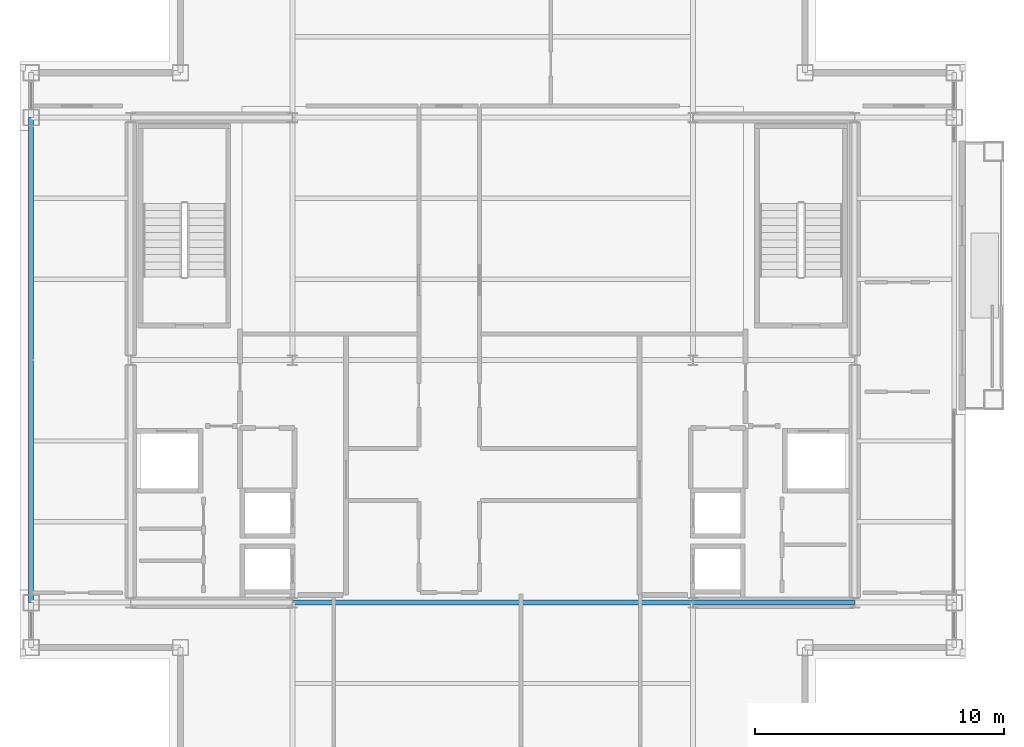
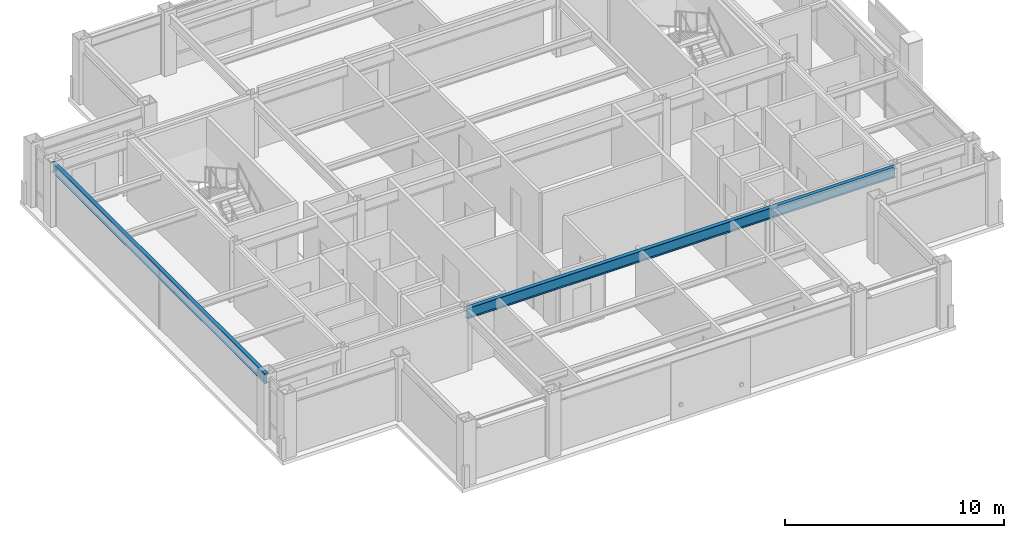
# One storey, part 6 of 24: 3 beams.
"""IFC4 building model written with IfcOpenShell, lengths in metres."""

from ifc_helpers import new_model, si_unit, direction, frame, origin, origin_2d, place, context, subcontext, project, spatial, i_section, extrude, material, material_profile, profile_set, type_object, element, save


model = new_model("IFC4")

# Units and contexts
model_context = context("Model", 3, precision=1e-05, world=origin(), true_north=direction((0.0, 1.0)))
body_context = subcontext(model_context, "Body", "Model", "MODEL_VIEW")
ifc_project = project(units=[si_unit("LENGTHUNIT", "METRE"), si_unit("AREAUNIT", "SQUARE_METRE"), si_unit("VOLUMEUNIT", "CUBIC_METRE"), si_unit("PLANEANGLEUNIT", "RADIAN"), si_unit("MASSUNIT", "GRAM", prefix="KILO")], contexts=[model_context])

# Site, building, storey
site_placement = place(None, origin())
site = spatial("IfcSite", under=ifc_project, at=site_placement, CompositionType="ELEMENT")
building_placement = place(site_placement, origin())
building = spatial("IfcBuilding", under=site, at=building_placement, Name="Brelmoor Portico Tower", CompositionType="ELEMENT")
storey_placement = place(building_placement, frame((0.0, 0.0, 232.800048828125)))
storey = spatial("IfcBuildingStorey", under=building, at=storey_placement, Name="L61", CompositionType="ELEMENT", Elevation=232.800048828125)

# Beams
ifc_material = material(Name="Steel Q355B", Category="steel")
ifc_material_profile_1 = material_profile(ifc_material, i_section(OverallWidth=0.199951171875, OverallDepth=0.60009765625, WebThickness=0.010986328125, FlangeThickness=0.01708984375, at=origin_2d()), Name="HN 600x200x11x17")
ifc_profile_set_1 = profile_set([ifc_material_profile_1], Name="Steel Q355B")
beam_type_1 = type_object("IfcBeamType", Name="BM-PG-600", PredefinedType="BEAM", material=ifc_profile_set_1)
beam_1_placement = place(storey_placement, frame((-8.050048828125, -9.75, 3.099853515625), z_axis=(1.0, 0.0, 0.0), x_axis=(0.0, 1.0, 0.0)))
element("IfcBeam", 1, at=beam_1_placement, inside=storey, type_object=beam_type_1, Name="L61 Primary Floor Girder PG-13", PredefinedType="BEAM", context=body_context, shape_type="SweptSolid", body=[
    extrude(i_section(OverallWidth=0.199951171875, OverallDepth=0.60009765625, WebThickness=0.010986328125, FlangeThickness=0.01708984375, at=origin_2d()), origin(), (0.0, 0.0, 1.0), 16.10009765625),
])
beam_2_placement = place(storey_placement, frame((8.050048828125, -9.75, 3.099853515625), z_axis=(1.0, 0.0, 0.0), x_axis=(0.0, 1.0, 0.0)))
element("IfcBeam", 2, at=beam_2_placement, inside=storey, type_object=beam_type_1, Name="L61 Primary Floor Girder PG-14", PredefinedType="BEAM", context=body_context, shape_type="SweptSolid", body=[
    extrude(i_section(OverallWidth=0.199951171875, OverallDepth=0.60009765625, WebThickness=0.010986328125, FlangeThickness=0.01708984375, at=origin_2d()), origin(), (0.0, 0.0, 1.0), 6.5),
])
ifc_material_profile_2 = material_profile(ifc_material, i_section(OverallWidth=0.199951171875, OverallDepth=0.550048828125, WebThickness=0.010009765625, FlangeThickness=0.01611328125, at=origin_2d()), Name="HN 550x200x10x16")
ifc_profile_set_2 = profile_set([ifc_material_profile_2], Name="Steel Q355B")
beam_type_2 = type_object("IfcBeamType", Name="BM-SP-550", PredefinedType="SPANDREL", material=ifc_profile_set_2)
beam_3_placement = place(storey_placement, frame((-18.550048828125, -9.75, 3.125), z_axis=(0.0, 1.0, 0.0), x_axis=(-1.0, 0.0, 0.0)))
element("IfcBeam", 3, at=beam_3_placement, inside=storey, type_object=beam_type_2, Name="L61 Perimeter Spandrel Beam SP-12", PredefinedType="SPANDREL", context=body_context, shape_type="SweptSolid", body=[
    extrude(i_section(OverallWidth=0.199951171875, OverallDepth=0.550048828125, WebThickness=0.010009765625, FlangeThickness=0.01611328125, at=origin_2d()), origin(), (0.0, 0.0, 1.0), 19.5),
])

save(model, "model.ifc")
